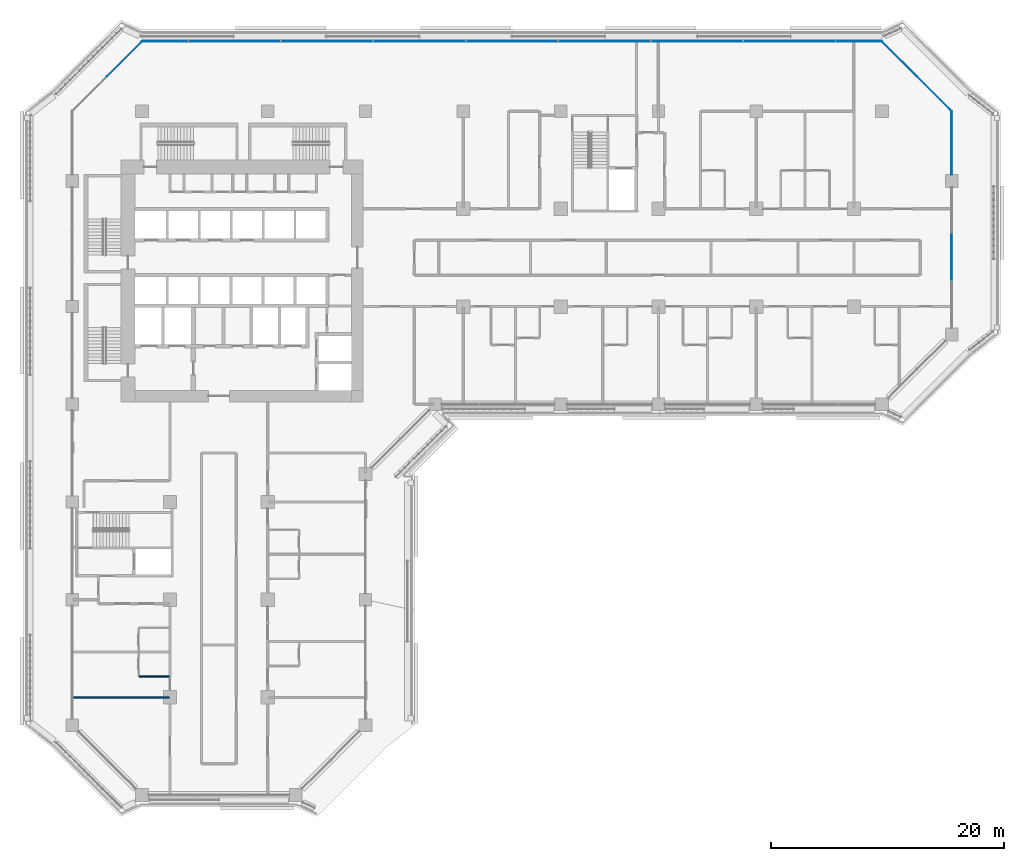
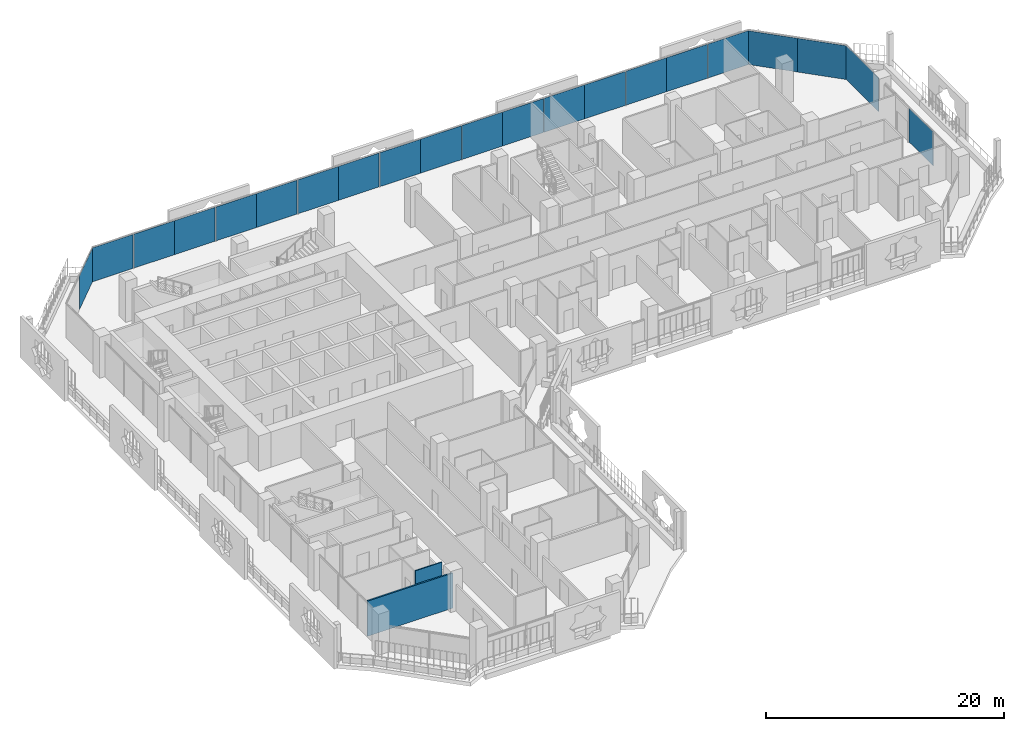
# One storey, part 11 of 25: 21 plates, 2 walls, 4 elements without a shape of their own.
"""IFC4 building model written with IfcOpenShell, lengths in metres."""

from ifc_helpers import new_model, si_unit, direction, frame, frame_2d, origin, origin_2d, place, context, subcontext, project, spatial, rectangle, extrude, material, layer, layer_set, type_object, element, aggregate, save


model = new_model("IFC4")

# Units and contexts
model_context = context("Model", 3, precision=1e-05, world=origin(), true_north=direction((0.0, 1.0)))
body_context = subcontext(model_context, "Body", "Model", "MODEL_VIEW")
ifc_project = project(units=[si_unit("LENGTHUNIT", "METRE"), si_unit("AREAUNIT", "SQUARE_METRE"), si_unit("VOLUMEUNIT", "CUBIC_METRE"), si_unit("PLANEANGLEUNIT", "RADIAN"), si_unit("MASSUNIT", "GRAM", prefix="KILO")], contexts=[model_context])

# Site, building, storey
site_placement = place(None, origin())
site = spatial("IfcSite", under=ifc_project, at=site_placement, CompositionType="ELEMENT")
building_placement = place(site_placement, origin())
building = spatial("IfcBuilding", under=site, at=building_placement, Name="Kawkab Arch Medical Tower", CompositionType="ELEMENT")
storey_placement = place(building_placement, frame((0.0, 0.0, 132.39990234375)))
storey = spatial("IfcBuildingStorey", under=building, at=storey_placement, Name="L30", CompositionType="ELEMENT", Elevation=132.39990234375)

# Curtain wall, plates
ifc_material_1 = material(Name="Bronze anodised aluminium curtain wall frame", Category="aluminium")
ifc_layer_1 = layer(ifc_material_1, 0.159912109375)
ifc_layer_set_1 = layer_set([ifc_layer_1], Name="Bronze anodised aluminium curtain wall frame")
curtain_wall_type_1 = type_object("IfcCurtainWallType", Name="CW1 ward curtain wall", PredefinedType="NOTDEFINED", material=ifc_layer_set_1)
placement = place(storey_placement, origin())
curtain_wall_1 = element("IfcCurtainWall", 1, at=placement, inside=storey, type_object=curtain_wall_type_1, Name="CW1 Ward curtain wall R09", PredefinedType="NOTDEFINED")
ifc_material_2 = material(Name="Tinted insulating glass, bronze low-e coating", Category="glass")
ifc_layer_2 = layer(ifc_material_2, 0.031982421875)
ifc_layer_set_2 = layer_set([ifc_layer_2], Name="Tinted insulating glass, bronze low-e coating")
plate_type_1 = type_object("IfcPlateType", Name="CW1 glazing unit 32", PredefinedType="CURTAIN_PANEL", material=ifc_layer_set_2)
plate_1_placement = place(storey_placement, frame((75.60009765625, -12.5849609375, 0.0), z_axis=(0.0, 0.0, 1.0), x_axis=(0.0, 1.0, 0.0)))
plate_1 = element("IfcPlate", 2, at=plate_1_placement, type_object=plate_type_1, Name="CW1 glazing unit 1.2", PredefinedType="CURTAIN_PANEL", context=body_context, shape_type="SweptSolid", body=[
    extrude(rectangle(XDim=4.00341796875, YDim=0.031982421875, at=origin_2d()), origin(), (0.0, 0.0, 1.0), 3.47998046875),
])
plate_2_placement = place(storey_placement, frame((75.60009765625, -2.72509765625, 0.0), z_axis=(0.0, 0.0, 1.0), x_axis=(0.0, 1.0, 0.0)))
plate_2 = element("IfcPlate", 3, at=plate_2_placement, type_object=plate_type_1, Name="CW1 glazing unit 2.1", PredefinedType="CURTAIN_PANEL", context=body_context, shape_type="SweptSolid", body=[
    extrude(rectangle(XDim=5.449951171875, YDim=0.031982421875, at=origin_2d()), origin(), (0.0, 0.0, 1.0), 3.47998046875),
])
aggregate(curtain_wall_1, [plate_1, plate_2])

curtain_wall_2 = element("IfcCurtainWall", 4, at=placement, inside=storey, type_object=curtain_wall_type_1, Name="CW1 Ward curtain wall R11", PredefinedType="NOTDEFINED")
plate_3_placement = place(storey_placement, frame((67.62744140625, 6.0, 0.0), z_axis=(0.0, 0.0, 1.0), x_axis=(-1.0, 0.0, 0.0)))
plate_3 = element("IfcPlate", 5, at=plate_3_placement, type_object=plate_type_1, Name="CW1 glazing unit 1.1", PredefinedType="CURTAIN_PANEL", context=body_context, shape_type="SweptSolid", body=[
    extrude(rectangle(XDim=3.945068359375, YDim=0.031982421875, at=origin_2d()), origin(), (0.0, 0.0, 1.0), 3.47998046875),
])
plate_4_placement = place(storey_placement, frame((63.62255859375, 6.0, 0.0), z_axis=(0.0, 0.0, 1.0), x_axis=(-1.0, 0.0, 0.0)))
plate_4 = element("IfcPlate", 6, at=plate_4_placement, type_object=plate_type_1, Name="CW1 glazing unit 1.2", PredefinedType="CURTAIN_PANEL", context=body_context, shape_type="SweptSolid", body=[
    extrude(rectangle(XDim=3.945068359375, YDim=0.031982421875, at=origin_2d()), origin(), (0.0, 0.0, 1.0), 3.47998046875),
])
plate_5_placement = place(storey_placement, frame((59.677490234375, 6.0, 0.0), z_axis=(0.0, 0.0, 1.0), x_axis=(-1.0, 0.0, 0.0)))
plate_5 = element("IfcPlate", 7, at=plate_5_placement, type_object=plate_type_1, Name="CW1 glazing unit 2.1", PredefinedType="CURTAIN_PANEL", context=body_context, shape_type="SweptSolid", body=[
    extrude(rectangle(XDim=3.945068359375, YDim=0.031982421875, at=origin_2d()), origin(), (0.0, 0.0, 1.0), 3.47998046875),
])
plate_6_placement = place(storey_placement, frame((55.672607421875, 6.0, 0.0), z_axis=(0.0, 0.0, 1.0), x_axis=(-1.0, 0.0, 0.0)))
plate_6 = element("IfcPlate", 8, at=plate_6_placement, type_object=plate_type_1, Name="CW1 glazing unit 2.2", PredefinedType="CURTAIN_PANEL", context=body_context, shape_type="SweptSolid", body=[
    extrude(rectangle(XDim=3.945068359375, YDim=0.031982421875, at=origin_2d()), origin(), (0.0, 0.0, 1.0), 3.47998046875),
])
plate_7_placement = place(storey_placement, frame((51.7275390625, 6.0, 0.0), z_axis=(0.0, 0.0, 1.0), x_axis=(-1.0, 0.0, 0.0)))
plate_7 = element("IfcPlate", 9, at=plate_7_placement, type_object=plate_type_1, Name="CW1 glazing unit 3.1", PredefinedType="CURTAIN_PANEL", context=body_context, shape_type="SweptSolid", body=[
    extrude(rectangle(XDim=3.945068359375, YDim=0.031982421875, at=origin_2d()), origin(), (0.0, 0.0, 1.0), 3.47998046875),
])
plate_8_placement = place(storey_placement, frame((47.722412109375, 6.0, 0.0), z_axis=(0.0, 0.0, 1.0), x_axis=(-1.0, 0.0, 0.0)))
plate_8 = element("IfcPlate", 10, at=plate_8_placement, type_object=plate_type_1, Name="CW1 glazing unit 3.2", PredefinedType="CURTAIN_PANEL", context=body_context, shape_type="SweptSolid", body=[
    extrude(rectangle(XDim=3.945068359375, YDim=0.031982421875, at=origin_2d()), origin(), (0.0, 0.0, 1.0), 3.47998046875),
])
plate_9_placement = place(storey_placement, frame((43.777587890625, 6.0, 0.0), z_axis=(0.0, 0.0, 1.0), x_axis=(-1.0, 0.0, 0.0)))
plate_9 = element("IfcPlate", 11, at=plate_9_placement, type_object=plate_type_1, Name="CW1 glazing unit 4.1", PredefinedType="CURTAIN_PANEL", context=body_context, shape_type="SweptSolid", body=[
    extrude(rectangle(XDim=3.945068359375, YDim=0.031982421875, at=origin_2d()), origin(), (0.0, 0.0, 1.0), 3.47998046875),
])
plate_10_placement = place(storey_placement, frame((39.7724609375, 6.0, 0.0), z_axis=(0.0, 0.0, 1.0), x_axis=(-1.0, 0.0, 0.0)))
plate_10 = element("IfcPlate", 12, at=plate_10_placement, type_object=plate_type_1, Name="CW1 glazing unit 4.2", PredefinedType="CURTAIN_PANEL", context=body_context, shape_type="SweptSolid", body=[
    extrude(rectangle(XDim=3.945068359375, YDim=0.031982421875, at=origin_2d()), origin(), (0.0, 0.0, 1.0), 3.47998046875),
])
plate_11_placement = place(storey_placement, frame((35.827392578125, 6.0, 0.0), z_axis=(0.0, 0.0, 1.0), x_axis=(-1.0, 0.0, 0.0)))
plate_11 = element("IfcPlate", 13, at=plate_11_placement, type_object=plate_type_1, Name="CW1 glazing unit 5.1", PredefinedType="CURTAIN_PANEL", context=body_context, shape_type="SweptSolid", body=[
    extrude(rectangle(XDim=3.945068359375, YDim=0.031982421875, at=origin_2d()), origin(), (0.0, 0.0, 1.0), 3.47998046875),
])
plate_12_placement = place(storey_placement, frame((31.822509765625, 6.0, 0.0), z_axis=(0.0, 0.0, 1.0), x_axis=(-1.0, 0.0, 0.0)))
plate_12 = element("IfcPlate", 14, at=plate_12_placement, type_object=plate_type_1, Name="CW1 glazing unit 5.2", PredefinedType="CURTAIN_PANEL", context=body_context, shape_type="SweptSolid", body=[
    extrude(rectangle(XDim=3.945068359375, YDim=0.031982421875, at=origin_2d()), origin(), (0.0, 0.0, 1.0), 3.47998046875),
])
plate_13_placement = place(storey_placement, frame((27.87744140625, 6.0, 0.0), z_axis=(0.0, 0.0, 1.0), x_axis=(-1.0, 0.0, 0.0)))
plate_13 = element("IfcPlate", 15, at=plate_13_placement, type_object=plate_type_1, Name="CW1 glazing unit 6.1", PredefinedType="CURTAIN_PANEL", context=body_context, shape_type="SweptSolid", body=[
    extrude(rectangle(XDim=3.945068359375, YDim=0.031982421875, at=origin_2d()), origin(), (0.0, 0.0, 1.0), 3.47998046875),
])
plate_14_placement = place(storey_placement, frame((23.87255859375, 6.0, 0.0), z_axis=(0.0, 0.0, 1.0), x_axis=(-1.0, 0.0, 0.0)))
plate_14 = element("IfcPlate", 16, at=plate_14_placement, type_object=plate_type_1, Name="CW1 glazing unit 6.2", PredefinedType="CURTAIN_PANEL", context=body_context, shape_type="SweptSolid", body=[
    extrude(rectangle(XDim=3.945068359375, YDim=0.031982421875, at=origin_2d()), origin(), (0.0, 0.0, 1.0), 3.47998046875),
])
plate_15_placement = place(storey_placement, frame((19.927490234375, 6.0, 0.0), z_axis=(0.0, 0.0, 1.0), x_axis=(-1.0, 0.0, 0.0)))
plate_15 = element("IfcPlate", 17, at=plate_15_placement, type_object=plate_type_1, Name="CW1 glazing unit 7.1", PredefinedType="CURTAIN_PANEL", context=body_context, shape_type="SweptSolid", body=[
    extrude(rectangle(XDim=3.945068359375, YDim=0.031982421875, at=origin_2d()), origin(), (0.0, 0.0, 1.0), 3.47998046875),
])
plate_16_placement = place(storey_placement, frame((15.922607421875, 6.0, 0.0), z_axis=(0.0, 0.0, 1.0), x_axis=(-1.0, 0.0, 0.0)))
plate_16 = element("IfcPlate", 18, at=plate_16_placement, type_object=plate_type_1, Name="CW1 glazing unit 7.2", PredefinedType="CURTAIN_PANEL", context=body_context, shape_type="SweptSolid", body=[
    extrude(rectangle(XDim=3.945068359375, YDim=0.031982421875, at=origin_2d()), origin(), (0.0, 0.0, 1.0), 3.47998046875),
])
plate_17_placement = place(storey_placement, frame((11.9775390625, 6.0, 0.0), z_axis=(0.0, 0.0, 1.0), x_axis=(-1.0, 0.0, 0.0)))
plate_17 = element("IfcPlate", 19, at=plate_17_placement, type_object=plate_type_1, Name="CW1 glazing unit 8.1", PredefinedType="CURTAIN_PANEL", context=body_context, shape_type="SweptSolid", body=[
    extrude(rectangle(XDim=3.945068359375, YDim=0.031982421875, at=origin_2d()), origin(), (0.0, 0.0, 1.0), 3.47998046875),
])
plate_18_placement = place(storey_placement, frame((7.972412109375, 6.0, 0.0), z_axis=(0.0, 0.0, 1.0), x_axis=(-1.0, 0.0, 0.0)))
plate_18 = element("IfcPlate", 20, at=plate_18_placement, type_object=plate_type_1, Name="CW1 glazing unit 8.2", PredefinedType="CURTAIN_PANEL", context=body_context, shape_type="SweptSolid", body=[
    extrude(rectangle(XDim=3.945068359375, YDim=0.031982421875, at=origin_2d()), origin(), (0.0, 0.0, 1.0), 3.47998046875),
])
aggregate(curtain_wall_2, [plate_3, plate_4, plate_5, plate_6, plate_7, plate_8, plate_9, plate_10, plate_11, plate_12, plate_13, plate_14, plate_15, plate_16, plate_17, plate_18])

ifc_material_3 = material(Name="Bronze anodised aluminium curtain wall frame", Category="aluminium")
ifc_layer_3 = layer(ifc_material_3, 0.159912109375)
ifc_layer_set_3 = layer_set([ifc_layer_3], Name="Bronze anodised aluminium curtain wall frame")
curtain_wall_type_2 = type_object("IfcCurtainWallType", Name="CW2 chamfer curtain wall", PredefinedType="NOTDEFINED", material=ifc_layer_set_3)
curtain_wall_3 = element("IfcCurtainWall", 21, at=placement, inside=storey, type_object=curtain_wall_type_2, Name="CW2 Chamfer curtain wall R10", PredefinedType="NOTDEFINED")
ifc_material_4 = material(Name="Tinted insulating glass, bronze low-e coating", Category="glass")
ifc_layer_4 = layer(ifc_material_4, 0.031982421875)
ifc_layer_set_4 = layer_set([ifc_layer_4], Name="Tinted insulating glass, bronze low-e coating")
plate_type_2 = type_object("IfcPlateType", Name="CW2 glazing unit 32", PredefinedType="CURTAIN_PANEL", material=ifc_layer_set_4)
plate_19_placement = place(storey_placement, frame((74.10009765625, 1.5, 0.0), z_axis=(0.0, 0.0, 1.0), x_axis=(-0.707106781187, 0.707106781187, 0.0)))
plate_19 = element("IfcPlate", 22, at=plate_19_placement, type_object=plate_type_2, Name="CW2 glazing unit 1.1", PredefinedType="CURTAIN_PANEL", context=body_context, shape_type="SweptSolid", body=[
    extrude(rectangle(XDim=4.24267578125, YDim=0.031982421875, at=origin_2d()), origin(), (0.0, 0.0, 1.0), 3.4599609375),
])
plate_20_placement = place(storey_placement, frame((71.10009765625, 4.5, 0.0), z_axis=(0.0, 0.0, 1.0), x_axis=(-0.707106781187, 0.707106781187, 0.0)))
plate_20 = element("IfcPlate", 23, at=plate_20_placement, type_object=plate_type_2, Name="CW2 glazing unit 2.1", PredefinedType="CURTAIN_PANEL", context=body_context, shape_type="SweptSolid", body=[
    extrude(rectangle(XDim=4.24267578125, YDim=0.031982421875, at=origin_2d()), origin(), (0.0, 0.0, 1.0), 3.4599609375),
])
aggregate(curtain_wall_3, [plate_19, plate_20])

# Curtain wall, plate
curtain_wall_4 = element("IfcCurtainWall", 24, at=placement, inside=storey, type_object=curtain_wall_type_2, Name="CW2 Chamfer curtain wall R12", PredefinedType="NOTDEFINED")
plate_21_placement = place(storey_placement, frame((4.5, 4.5, 0.0), z_axis=(0.0, 0.0, 1.0), x_axis=(-0.707106781187, -0.707106781187, 0.0)))
plate_21 = element("IfcPlate", 25, at=plate_21_placement, type_object=plate_type_2, Name="CW2 glazing unit 1.1", PredefinedType="CURTAIN_PANEL", context=body_context, shape_type="SweptSolid", body=[
    extrude(rectangle(XDim=4.24267578125, YDim=0.031982421875, at=origin_2d()), origin(), (0.0, 0.0, 1.0), 3.4599609375),
])
aggregate(curtain_wall_4, [plate_21])

# Walls
ifc_material_5 = material(Name="Gypsum board partition on steel studs", Category="steel")
ifc_layer_5 = layer(ifc_material_5, 0.10009765625)
ifc_layer_set_5 = layer_set([ifc_layer_5], Name="Gypsum board partition on steel studs")
wall_type_1 = type_object("IfcWallType", Name="Partition 100", PredefinedType="PARTITIONING", material=ifc_layer_set_5)
wall_1_placement = place(storey_placement, frame((5.75, -48.60009765625, 0.0), z_axis=(0.0, 0.0, 1.0), x_axis=(1.0, 0.0, 0.0)))
element("IfcWall", 26, at=wall_1_placement, inside=storey, type_object=wall_type_1, Name="Partition 100 w001", PredefinedType="PARTITIONING", context=body_context, shape_type="SweptSolid", body=[
    extrude(rectangle(XDim=2.574951171875, YDim=0.10009765625, at=frame_2d((1.28759765625, 0.0))), origin(), (0.0, 0.0, 1.0), 3.60009765625),
])
ifc_material_6 = material(Name="Gypsum board partition on steel studs, mineral wool", Category="steel")
ifc_layer_6 = layer(ifc_material_6, 0.14990234375)
ifc_layer_set_6 = layer_set([ifc_layer_6], Name="Gypsum board partition on steel studs, mineral wool")
wall_type_2 = type_object("IfcWallType", Name="Partition 150", PredefinedType="PARTITIONING", material=ifc_layer_set_6)
wall_2_placement = place(storey_placement, frame((0.080078125, -50.39990234375, 0.0), z_axis=(0.0, 0.0, 1.0), x_axis=(1.0, 0.0, 0.0)))
element("IfcWall", 27, at=wall_2_placement, inside=storey, type_object=wall_type_2, Name="Partition 150 w029", PredefinedType="PARTITIONING", context=body_context, shape_type="SweptSolid", body=[
    extrude(rectangle(XDim=8.244873046875, YDim=0.14990234375, at=frame_2d((4.12255859375, 0.0))), origin(), (0.0, 0.0, 1.0), 3.60009765625),
])

save(model, "model.ifc")
